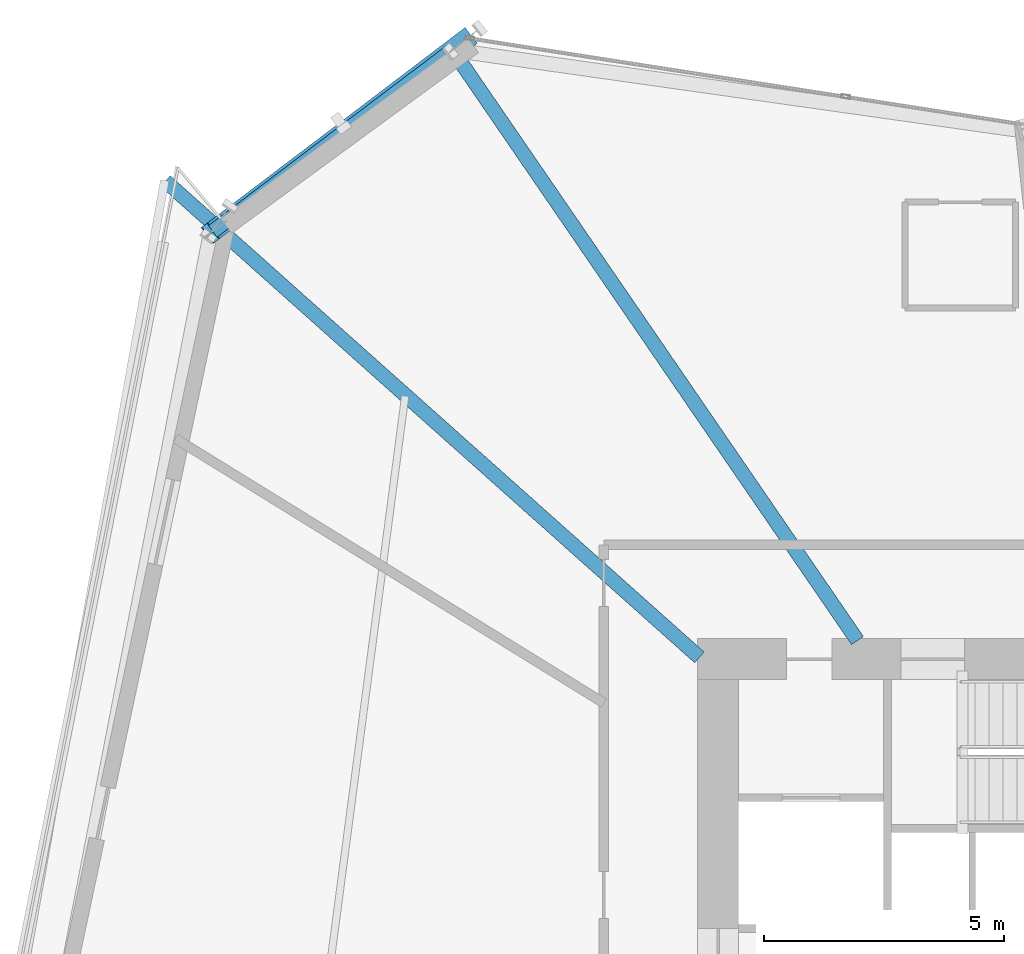
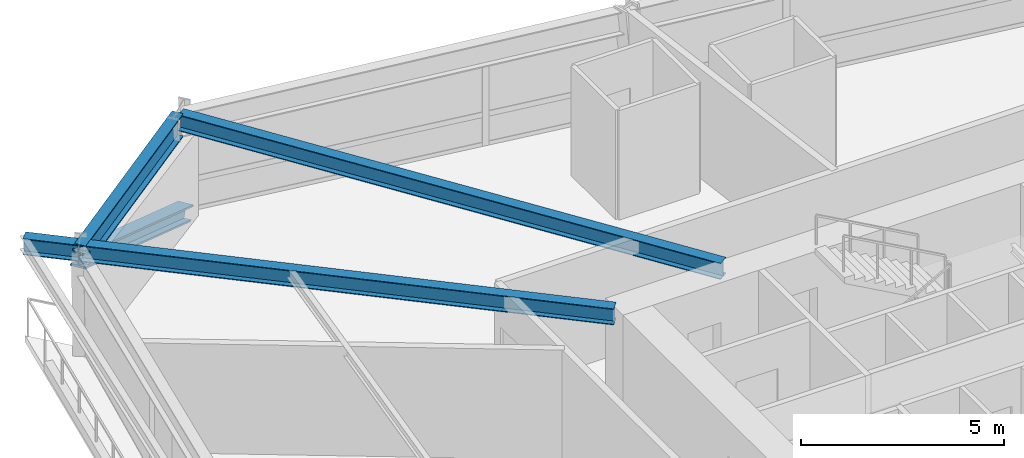
# One storey, part 9 of 22: 3 beams, 1 member.
"""IFC4 building model written with IfcOpenShell, lengths in metres."""

from ifc_helpers import new_model, si_unit, direction, frame, origin, origin_2d, place, context, subcontext, project, spatial, i_section, extrude, source, transform, mapped, material, material_profile, profile_set, type_object, element, save


model = new_model("IFC4")

# Units and contexts
model_context = context("Model", 3, precision=1e-05, world=origin(), true_north=direction((0.0, 1.0)))
body_context = subcontext(model_context, "Body", "Model", "MODEL_VIEW")
ifc_project = project(units=[si_unit("LENGTHUNIT", "METRE"), si_unit("AREAUNIT", "SQUARE_METRE"), si_unit("VOLUMEUNIT", "CUBIC_METRE"), si_unit("PLANEANGLEUNIT", "RADIAN"), si_unit("MASSUNIT", "GRAM", prefix="KILO")], contexts=[model_context])

# Site, building, storey
site_placement = place(None, origin())
site = spatial("IfcSite", under=ifc_project, at=site_placement, CompositionType="ELEMENT")
building_placement = place(site_placement, origin())
building = spatial("IfcBuilding", under=site, at=building_placement, Name="Olszyna Solenne Hotel", CompositionType="ELEMENT")
storey_placement = place(building_placement, frame((0.0, 0.0, 50.60009765625)))
storey = spatial("IfcBuildingStorey", under=building, at=storey_placement, Name="L12", CompositionType="ELEMENT", Elevation=50.60009765625)

# Beams
ifc_material_1 = material(Name="Steel S355J2", Category="steel")
ifc_material_profile_1 = material_profile(ifc_material_1, i_section(OverallWidth=0.300048828125, OverallDepth=0.699951171875, WebThickness=0.01708984375, FlangeThickness=0.031982421875, at=origin_2d()), Name="HEB 700", Category="load-bearing")
ifc_profile_set_1 = profile_set([ifc_material_profile_1], Name="Steel S355J2")
beam_type_1 = type_object("IfcBeamType", Name="BM-S1", PredefinedType="BEAM", material=ifc_profile_set_1)
shared_shape_1 = source(origin(), body_context, "Body", "SweptSolid", [
    extrude(i_section(OverallWidth=0.300048828125, OverallDepth=0.699951171875, WebThickness=0.01708984375, FlangeThickness=0.031982421875, at=origin_2d()), origin(), (0.0, 0.0, 1.0), 6.192626953125),
])
beam_1_placement = place(storey_placement, frame((24.1005859375, 46.760009765625, 2.949951171875), z_axis=(-0.797561714109, -0.603237359742, 0.0), x_axis=(0.603237359742, -0.797561714109, 0.0)))
element("IfcBeam", 1, at=beam_1_placement, inside=storey, type_object=beam_type_1, Name="Perimeter spandrel beam BM-S1 B-L12-0381", PredefinedType="BEAM", context=body_context, shape_type="MappedRepresentation", body=[
    mapped(shared_shape_1, transform((0.0, 0.0, 0.0), x_axis=(1.0, 0.0, 0.0), y_axis=(0.0, 1.0, 0.0), z_axis=(0.0, 0.0, 1.0), scale=1.0)),
])
ifc_material_profile_2 = material_profile(ifc_material_1, i_section(OverallWidth=0.300048828125, OverallDepth=0.489990234375, WebThickness=0.011962890625, FlangeThickness=0.02294921875, at=origin_2d()), Name="HEA 500", Category="load-bearing")
ifc_profile_set_2 = profile_set([ifc_material_profile_2], Name="Steel S355J2")
beam_type_2 = type_object("IfcBeamType", Name="BM-G1", PredefinedType="BEAM", material=ifc_profile_set_2)
shared_shape_2 = source(origin(), body_context, "Body", "SweptSolid", [
    extrude(i_section(OverallWidth=0.300048828125, OverallDepth=0.489990234375, WebThickness=0.011962890625, FlangeThickness=0.02294921875, at=origin_2d()), origin(), (0.0, 0.0, 1.0), 14.839599609375),
])
beam_2_placement = place(storey_placement, frame((24.182373046875, 46.746826171875, 3.054931640625), z_axis=(0.565597732622, -0.824681274707, 0.0), x_axis=(0.824681274707, 0.565597732622, 0.0)))
element("IfcBeam", 2, at=beam_2_placement, inside=storey, type_object=beam_type_2, Name="Radial floor girder BM-G1 B-L12-0392", PredefinedType="BEAM", context=body_context, shape_type="MappedRepresentation", body=[
    mapped(shared_shape_2, transform((0.0, 0.0, 0.0), x_axis=(1.0, 0.0, 0.0), y_axis=(0.0, 1.0, 0.0), z_axis=(0.0, 0.0, 1.0), scale=1.0)),
])
shared_shape_3 = source(origin(), body_context, "Body", "SweptSolid", [
    extrude(i_section(OverallWidth=0.300048828125, OverallDepth=0.489990234375, WebThickness=0.011962890625, FlangeThickness=0.02294921875, at=origin_2d()), origin(), (0.0, 0.0, 1.0), 14.8896484375),
])
beam_3_placement = place(storey_placement, frame((18.1748046875, 44.069580078125, 3.054931640625), z_axis=(0.746360810825, -0.665541538948, 0.0), x_axis=(0.665541538948, 0.746360810825, 0.0)))
element("IfcBeam", 3, at=beam_3_placement, inside=storey, type_object=beam_type_2, Name="Radial floor girder BM-G1 B-L12-0393", PredefinedType="BEAM", context=body_context, shape_type="MappedRepresentation", body=[
    mapped(shared_shape_3, transform((0.0, 0.0, 0.0), x_axis=(1.0, 0.0, 0.0), y_axis=(0.0, 1.0, 0.0), z_axis=(0.0, 0.0, 1.0), scale=1.0)),
])

# Member
ifc_material_2 = material(Name="Steel S460M", Category="steel")
ifc_material_profile_3 = material_profile(ifc_material_2, i_section(OverallWidth=0.412109375, OverallDepth=0.43505859375, WebThickness=0.031494140625, FlangeThickness=0.050048828125, at=origin_2d()), Name="HD 400x463", Category="load-bearing")
ifc_profile_set_3 = profile_set([ifc_material_profile_3], Name="Steel S460M")
member_type = type_object("IfcMemberType", Name="BR-T1", PredefinedType="BRACE", material=ifc_profile_set_3)
shared_shape_4 = source(origin(), body_context, "Body", "SweptSolid", [
    extrude(i_section(OverallWidth=0.412109375, OverallDepth=0.43505859375, WebThickness=0.031494140625, FlangeThickness=0.050048828125, at=origin_2d()), origin(), (0.0, 0.0, 1.0), 7.320068359375),
])
member_placement = place(storey_placement, frame((24.46630859375, 47.0498046875, 0.010009765625), z_axis=(-0.731214197412, -0.554847627629, 0.396824782011), x_axis=(0.604478728564, -0.796621281861, 0.0)))
element("IfcMember", 4, at=member_placement, inside=storey, type_object=member_type, Name="Perimeter braced-tube diagonal BR-T1 BR-L12-2", PredefinedType="BRACE", context=body_context, shape_type="MappedRepresentation", body=[
    mapped(shared_shape_4, transform((0.0, 0.0, 0.0), x_axis=(1.0, 0.0, 0.0), y_axis=(0.0, 1.0, 0.0), z_axis=(0.0, 0.0, 1.0), scale=1.0)),
])

save(model, "model.ifc")
